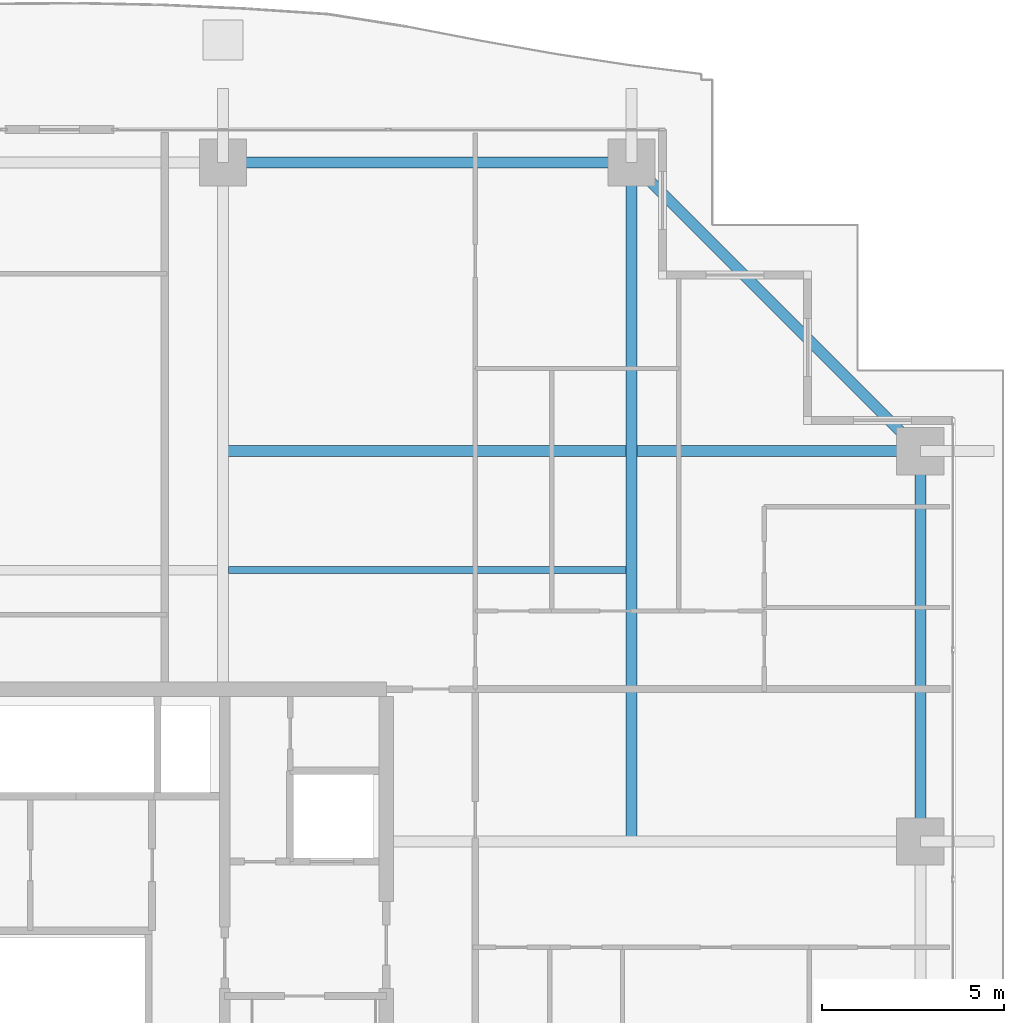
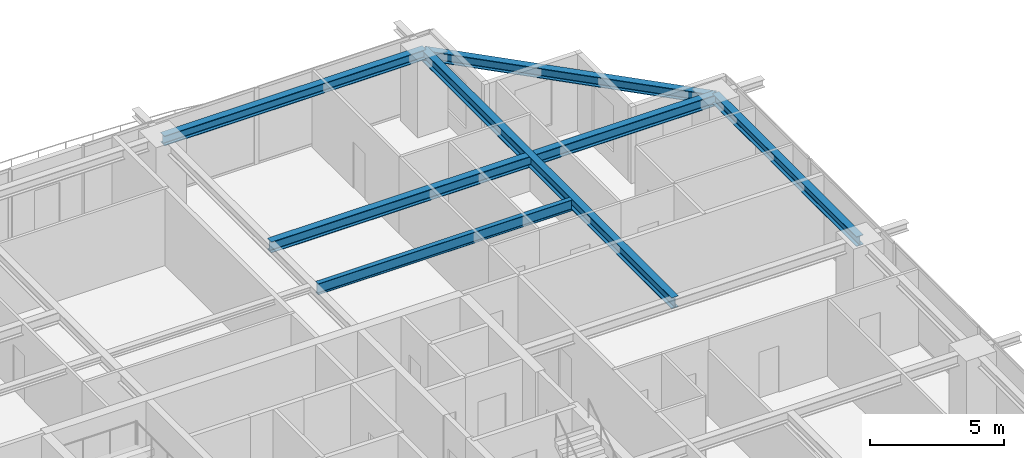
# One storey, part 23 of 39: 6 beams.
"""IFC4 building model written with IfcOpenShell, lengths in metres."""

from ifc_helpers import new_model, si_unit, direction, frame, origin, origin_2d, place, context, subcontext, project, spatial, i_section, extrude, source, transform, mapped, material, material_profile, profile_set, type_object, element, save


model = new_model("IFC4")

# Units and contexts
model_context = context("Model", 3, precision=1e-05, world=origin(), true_north=direction((0.0, 1.0)))
body_context = subcontext(model_context, "Body", "Model", "MODEL_VIEW")
ifc_project = project(units=[si_unit("LENGTHUNIT", "METRE"), si_unit("AREAUNIT", "SQUARE_METRE"), si_unit("VOLUMEUNIT", "CUBIC_METRE"), si_unit("PLANEANGLEUNIT", "RADIAN"), si_unit("MASSUNIT", "GRAM", prefix="KILO")], contexts=[model_context])

# Site, building, storey
site_placement = place(None, origin())
site = spatial("IfcSite", under=ifc_project, at=site_placement, CompositionType="ELEMENT")
building_placement = place(site_placement, origin())
building = spatial("IfcBuilding", under=site, at=building_placement, Name="Serunith Strait Residences", CompositionType="ELEMENT")
storey_placement = place(building_placement, frame((0.0, 0.0, 168.89990234375)))
storey = spatial("IfcBuildingStorey", under=building, at=storey_placement, Name="L42", CompositionType="ELEMENT", Elevation=168.89990234375)

# Beams
ifc_material = material(Name="Steel S355J2", Category="steel")
ifc_material_profile_1 = material_profile(ifc_material, i_section(OverallWidth=0.300048828125, OverallDepth=0.5, WebThickness=0.014404296875, FlangeThickness=0.028076171875, FilletRadius=0.027099609375, at=origin_2d()), Name="HEB 500")
ifc_profile_set_1 = profile_set([ifc_material_profile_1], Name="Steel S355J2")
beam_type_1 = type_object("IfcBeamType", Name="BM-HEB500", PredefinedType="BEAM", material=ifc_profile_set_1)
shared_shape_1 = source(origin(), body_context, "Body", "SweptSolid", [
    extrude(i_section(OverallWidth=0.300048828125, OverallDepth=0.5, WebThickness=0.014404296875, FlangeThickness=0.028076171875, FilletRadius=0.027099609375, at=origin_2d()), origin(), (0.0, 0.0, 1.0), 18.7001953125),
])
beam_1_placement = place(storey_placement, frame((48.14990234375, 29.39990234375, 3.237060546875), z_axis=(0.0, 1.0, 0.0), x_axis=(-1.0, 0.0, 0.0)))
element("IfcBeam", 1, at=beam_1_placement, inside=storey, type_object=beam_type_1, Name="L42 Orthogonal Corner Girder TC-N4", PredefinedType="BEAM", context=body_context, shape_type="MappedRepresentation", body=[
    mapped(shared_shape_1, transform((0.0, 0.0, 0.0), scale=1.0)),
])
shared_shape_2 = source(origin(), body_context, "Body", "SweptSolid", [
    extrude(i_section(OverallWidth=0.300048828125, OverallDepth=0.5, WebThickness=0.014404296875, FlangeThickness=0.028076171875, FilletRadius=0.027099609375, at=origin_2d()), origin(), (0.0, 0.0, 1.0), 19.2001953125),
])
beam_2_placement = place(storey_placement, frame((36.89990234375, 40.14990234375, 3.237060546875), z_axis=(1.0, 0.0, 0.0), x_axis=(0.0, 1.0, 0.0)))
element("IfcBeam", 2, at=beam_2_placement, inside=storey, type_object=beam_type_1, Name="L42 Orthogonal Corner Girder TC-E4", PredefinedType="BEAM", context=body_context, shape_type="MappedRepresentation", body=[
    mapped(shared_shape_2, transform((0.0, 0.0, 0.0), scale=1.0)),
])
ifc_material_profile_2 = material_profile(ifc_material, i_section(OverallWidth=0.300048828125, OverallDepth=0.449951171875, WebThickness=0.013916015625, FlangeThickness=0.02587890625, FilletRadius=0.027099609375, at=origin_2d()), Name="HEB 450")
ifc_profile_set_2 = profile_set([ifc_material_profile_2], Name="Steel S355J2")
beam_type_2 = type_object("IfcBeamType", Name="BM-HEB450", PredefinedType="BEAM", material=ifc_profile_set_2)
shared_shape_3 = source(origin(), body_context, "Body", "SweptSolid", [
    extrude(i_section(OverallWidth=0.300048828125, OverallDepth=0.449951171875, WebThickness=0.013916015625, FlangeThickness=0.02587890625, FilletRadius=0.027099609375, at=origin_2d()), origin(), (0.0, 0.0, 1.0), 11.25),
])
beam_3_placement = place(storey_placement, frame((48.14990234375, 48.10009765625, 3.26220703125), z_axis=(-1.0, 0.0, 0.0), x_axis=(0.0, -1.0, 0.0)))
element("IfcBeam", 3, at=beam_3_placement, inside=storey, type_object=beam_type_2, Name="L42 Perimeter Ring Beam 09", PredefinedType="BEAM", context=body_context, shape_type="MappedRepresentation", body=[
    mapped(shared_shape_3, transform((0.0, 0.0, 0.0), scale=1.0)),
])
shared_shape_4 = source(origin(), body_context, "Body", "SweptSolid", [
    extrude(i_section(OverallWidth=0.300048828125, OverallDepth=0.449951171875, WebThickness=0.013916015625, FlangeThickness=0.02587890625, FilletRadius=0.027099609375, at=origin_2d()), origin(), (0.0, 0.0, 1.0), 11.2431640625),
])
beam_4_placement = place(storey_placement, frame((56.10009765625, 40.14990234375, 3.232177734375), z_axis=(-0.707106781187, 0.707106781187, 0.0), x_axis=(-0.707106781187, -0.707106781187, 0.0)))
element("IfcBeam", 4, at=beam_4_placement, inside=storey, type_object=beam_type_2, Name="L42 Perimeter Ring Beam 08", PredefinedType="BEAM", context=body_context, shape_type="MappedRepresentation", body=[
    mapped(shared_shape_4, transform((0.0, 0.0, 0.0), scale=1.0)),
])
shared_shape_5 = source(origin(), body_context, "Body", "SweptSolid", [
    extrude(i_section(OverallWidth=0.300048828125, OverallDepth=0.449951171875, WebThickness=0.013916015625, FlangeThickness=0.02587890625, FilletRadius=0.027099609375, at=origin_2d()), origin(), (0.0, 0.0, 1.0), 10.75),
])
beam_5_placement = place(storey_placement, frame((56.10009765625, 29.39990234375, 3.26220703125), z_axis=(0.0, 1.0, 0.0), x_axis=(-1.0, 0.0, 0.0)))
element("IfcBeam", 5, at=beam_5_placement, inside=storey, type_object=beam_type_2, Name="L42 Perimeter Ring Beam 07", PredefinedType="BEAM", context=body_context, shape_type="MappedRepresentation", body=[
    mapped(shared_shape_5, transform((0.0, 0.0, 0.0), scale=1.0)),
])
ifc_material_profile_3 = material_profile(ifc_material, i_section(OverallWidth=0.199951171875, OverallDepth=0.5, WebThickness=0.01025390625, FlangeThickness=0.01611328125, FilletRadius=0.02099609375, at=origin_2d()), Name="IPE 500")
ifc_profile_set_3 = profile_set([ifc_material_profile_3], Name="Steel S355J2")
beam_type_3 = type_object("IfcBeamType", Name="BM-IPE500", PredefinedType="JOIST", material=ifc_profile_set_3)
shared_shape_6 = source(origin(), body_context, "Body", "SweptSolid", [
    extrude(i_section(OverallWidth=0.199951171875, OverallDepth=0.5, WebThickness=0.01025390625, FlangeThickness=0.01611328125, FilletRadius=0.02099609375, at=origin_2d()), origin(), (0.0, 0.0, 1.0), 10.949951171875),
])
beam_6_placement = place(storey_placement, frame((37.050048828125, 36.875, 3.237060546875), z_axis=(1.0, 0.0, 0.0), x_axis=(0.0, 1.0, 0.0)))
element("IfcBeam", 6, at=beam_6_placement, inside=storey, type_object=beam_type_3, Name="L42 Composite Floor Joist 06", PredefinedType="JOIST", context=body_context, shape_type="MappedRepresentation", body=[
    mapped(shared_shape_6, transform((0.0, 0.0, 0.0), scale=1.0)),
])

save(model, "model.ifc")
